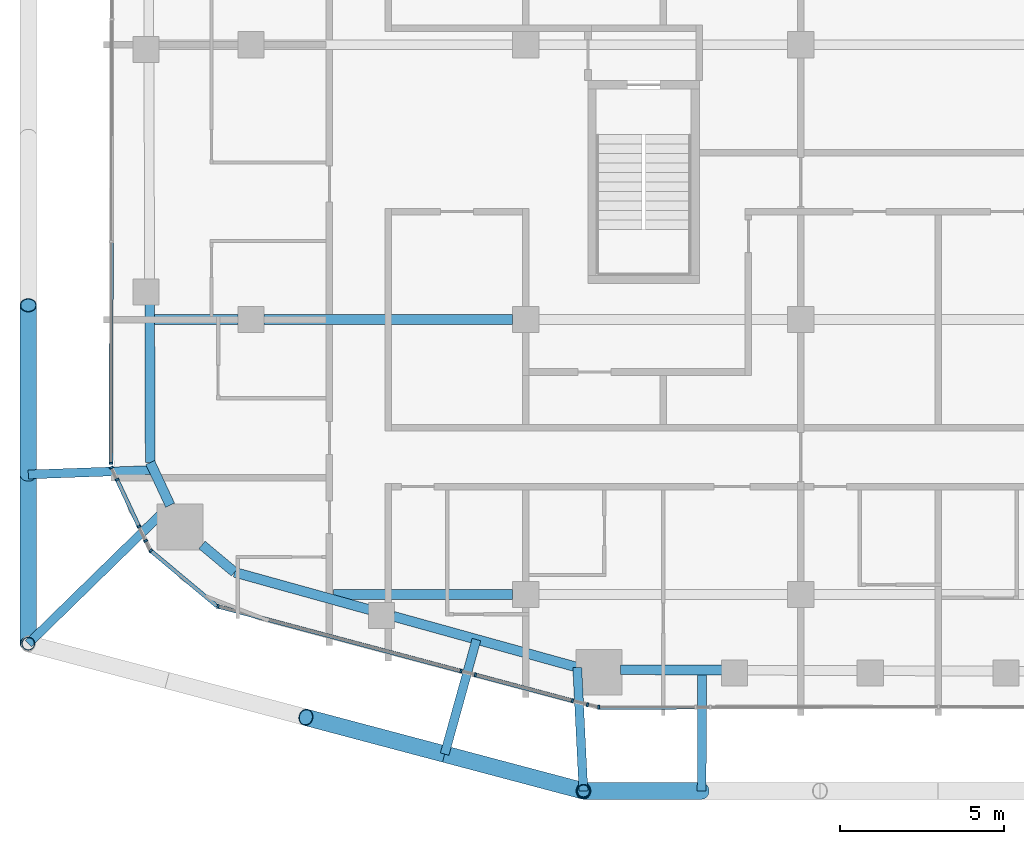
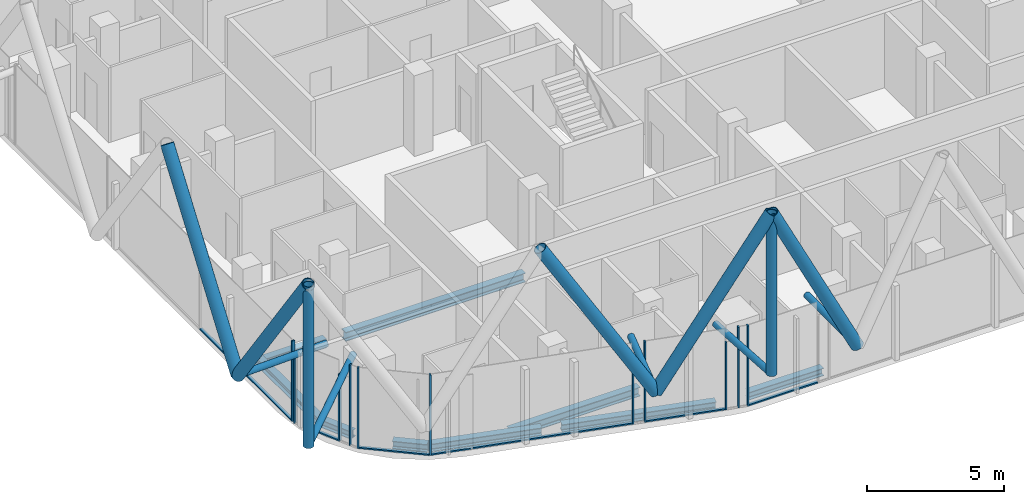
# One storey, part 2 of 31: 30 members, 9 beams, 12 elements without a shape of their own.
"""IFC4 building model written with IfcOpenShell, lengths in metres."""

from ifc_helpers import new_model, si_unit, direction, frame, origin, origin_2d, place, context, subcontext, project, spatial, rectangle, hollow_circle, i_section, extrude, material, layer, layer_set, material_profile, profile_set, type_object, element, aggregate, save


model = new_model("IFC4")

# Units and contexts
model_context = context("Model", 3, precision=1e-05, world=origin(), true_north=direction((0.0, 1.0)))
body_context = subcontext(model_context, "Body", "Model", "MODEL_VIEW")
ifc_project = project(units=[si_unit("LENGTHUNIT", "METRE"), si_unit("AREAUNIT", "SQUARE_METRE"), si_unit("VOLUMEUNIT", "CUBIC_METRE"), si_unit("PLANEANGLEUNIT", "RADIAN"), si_unit("MASSUNIT", "GRAM", prefix="KILO")], contexts=[model_context])

# Site, building, storey
site_placement = place(None, origin())
site = spatial("IfcSite", under=ifc_project, at=site_placement, CompositionType="ELEMENT")
building_placement = place(site_placement, origin())
building = spatial("IfcBuilding", under=site, at=building_placement, Name="Marenta Gate Hotel Tower", CompositionType="ELEMENT")
storey_placement = place(building_placement, frame((0.0, 0.0, 234.5)))
storey = spatial("IfcBuildingStorey", under=building, at=storey_placement, Name="L55", CompositionType="ELEMENT", Elevation=234.5)

# Members
ifc_material_1 = material(Name="Steel S355J2W", Category="steel")
ifc_material_profile_1 = material_profile(ifc_material_1, hollow_circle(Radius=0.203125, WallThickness=0.02490234375, at=origin_2d()), Name="CHS 406.4x25")
ifc_profile_set_1 = profile_set([ifc_material_profile_1], Name="Steel S355J2W")
member_type_1 = type_object("IfcMemberType", Name="Diagrid corner post Z3 CHS 406.4x25", PredefinedType="POST", material=ifc_profile_set_1)
for number, where, z_axis, x_axis, name in (
    (1, (-10.839111328125, -31.199951171875, 3.139892578125), (0.0, 0.0, 1.0), (1.0, 0.0, 0.0), "L55-DR-4"),
    (2, (-27.800048828125, -26.7001953125, 3.139892578125), (0.0, 0.0, 1.0), (1.0, 0.0, 0.0), "L55-DR-5"),
):
    element("IfcMember", number, at=place(storey_placement, frame(where, z_axis=z_axis, x_axis=x_axis)), inside=storey, type_object=member_type_1, Name=name, PredefinedType="POST", context=body_context, shape_type="SweptSolid", body=[
        extrude(hollow_circle(Radius=0.203125, WallThickness=0.02490234375, at=origin_2d()), origin(), (0.0, 0.0, 1.0), 7.2001953125),
    ])
ifc_material_2 = material(Name="Steel S355J2W", Category="steel")
ifc_material_profile_2 = material_profile(ifc_material_2, hollow_circle(Radius=0.25390625, WallThickness=0.02490234375, at=origin_2d()), Name="CHS 508x25")
ifc_profile_set_2 = profile_set([ifc_material_profile_2], Name="Steel S355J2W")
member_type_2 = type_object("IfcMemberType", Name="Diagrid diagonal Z3 CHS 508x25", PredefinedType="BRACE", material=ifc_profile_set_2)
member_1_placement = place(storey_placement, frame((-7.22607421875, -31.199951171875, 3.139892578125), z_axis=(-0.44849810728, 0.0, 0.893783781329), x_axis=(0.0, -1.0, 0.0)))
element("IfcMember", 3, at=member_1_placement, inside=storey, type_object=member_type_2, Name="L55-DG-20", PredefinedType="BRACE", context=body_context, shape_type="SweptSolid", body=[
    extrude(hollow_circle(Radius=0.25390625, WallThickness=0.02490234375, at=origin_2d()), origin(), (0.0, 0.0, 1.0), 8.055908203125),
])
for number, where, z_axis, x_axis, name in (
    (4, (-15.079345703125, -30.074951171875, 3.139892578125), (0.50291158245, -0.13343024942, 0.853976761263), (0.256443187528, 0.96655930577, 0.0), "L55-DG-21"),
    (5, (-15.079345703125, -30.074951171875, 3.139892578125), (-0.502913525317, 0.133401808564, 0.853980060379), (-0.256391194513, -0.966573098827, 0.0), "L55-DG-22"),
):
    element("IfcMember", number, at=place(storey_placement, frame(where, z_axis=z_axis, x_axis=x_axis)), inside=storey, type_object=member_type_2, Name=name, PredefinedType="BRACE", context=body_context, shape_type="SweptSolid", body=[
        extrude(hollow_circle(Radius=0.25390625, WallThickness=0.02490234375, at=origin_2d()), origin(), (0.0, 0.0, 1.0), 8.431396484375),
    ])
member_2_placement = place(storey_placement, frame((-27.800048828125, -21.530029296875, 3.139892578125), z_axis=(0.0, -0.583265964901, 0.81228124082), x_axis=(1.0, 0.0, 0.0)))
element("IfcMember", 6, at=member_2_placement, inside=storey, type_object=member_type_2, Name="L55-DG-25", PredefinedType="BRACE", context=body_context, shape_type="SweptSolid", body=[
    extrude(hollow_circle(Radius=0.25390625, WallThickness=0.02490234375, at=origin_2d()), origin(), (0.0, 0.0, 1.0), 8.8642578125),
])
member_3_placement = place(storey_placement, frame((-27.800048828125, -21.530029296875, 3.139892578125), z_axis=(0.0, 0.583247791947, 0.812294289767), x_axis=(-1.0, 0.0, 0.0)))
element("IfcMember", 7, at=member_3_placement, inside=storey, type_object=member_type_2, Name="L55-DG-26", PredefinedType="BRACE", context=body_context, shape_type="SweptSolid", body=[
    extrude(hollow_circle(Radius=0.25390625, WallThickness=0.02490234375, at=origin_2d()), origin(), (0.0, 0.0, 1.0), 8.864013671875),
])

# Beams
ifc_material_3 = material(Name="Steel S355", Category="steel")
ifc_material_profile_3 = material_profile(ifc_material_3, i_section(OverallWidth=0.300048828125, OverallDepth=0.340087890625, WebThickness=0.011962890625, FlangeThickness=0.021484375, FilletRadius=0.027099609375, at=origin_2d()), Name="HEB 340")
ifc_profile_set_3 = profile_set([ifc_material_profile_3], Name="Steel S355")
beam_type_1 = type_object("IfcBeamType", Name="Edge beam HEB 340", PredefinedType="SPANDREL", material=ifc_profile_set_3)
beam_1_placement = place(storey_placement, frame((-11.02783203125, -27.42236328125, -0.429931640625), z_axis=(-0.963619240724, 0.267278803699, 0.0), x_axis=(-0.267278803699, -0.963619240724, 0.0)))
element("IfcBeam", 8, at=beam_1_placement, inside=storey, type_object=beam_type_1, Name="L55-EB-1", PredefinedType="SPANDREL", context=body_context, shape_type="SweptSolid", body=[
    extrude(i_section(OverallWidth=0.300048828125, OverallDepth=0.340087890625, WebThickness=0.011962890625, FlangeThickness=0.021484375, FilletRadius=0.027099609375, at=origin_2d()), origin(), (0.0, 0.0, 1.0), 5.82958984375),
])
beam_2_placement = place(storey_placement, frame((-17.3681640625, -25.663818359375, -0.429931640625), z_axis=(-0.963628037304, 0.267247087396, 0.0), x_axis=(-0.267247087396, -0.963628037304, 0.0)))
element("IfcBeam", 9, at=beam_2_placement, inside=storey, type_object=beam_type_1, Name="L55-EB-2", PredefinedType="SPANDREL", context=body_context, shape_type="SweptSolid", body=[
    extrude(i_section(OverallWidth=0.300048828125, OverallDepth=0.340087890625, WebThickness=0.011962890625, FlangeThickness=0.021484375, FilletRadius=0.027099609375, at=origin_2d()), origin(), (0.0, 0.0, 1.0), 4.284423828125),
])
beam_3_placement = place(storey_placement, frame((-21.496826171875, -24.518798828125, -0.429931640625), z_axis=(-0.767065103149, 0.641569269472, 0.0), x_axis=(-0.641569269472, -0.767065103149, 0.0)))
element("IfcBeam", 10, at=beam_3_placement, inside=storey, type_object=beam_type_1, Name="L55-EB-3", PredefinedType="SPANDREL", context=body_context, shape_type="SweptSolid", body=[
    extrude(i_section(OverallWidth=0.300048828125, OverallDepth=0.340087890625, WebThickness=0.011962890625, FlangeThickness=0.021484375, FilletRadius=0.027099609375, at=origin_2d()), origin(), (0.0, 0.0, 1.0), 1.299560546875),
])
beam_4_placement = place(storey_placement, frame((-23.466796875, -22.46923828125, -0.429931640625), z_axis=(-0.423341112024, 0.905970365338, 0.0), x_axis=(-0.905970365338, -0.423341112024, 0.0)))
element("IfcBeam", 11, at=beam_4_placement, inside=storey, type_object=beam_type_1, Name="L55-EB-4", PredefinedType="SPANDREL", context=body_context, shape_type="SweptSolid", body=[
    extrude(i_section(OverallWidth=0.300048828125, OverallDepth=0.340087890625, WebThickness=0.011962890625, FlangeThickness=0.021484375, FilletRadius=0.027099609375, at=origin_2d()), origin(), (0.0, 0.0, 1.0), 1.437255859375),
])
beam_5_placement = place(storey_placement, frame((-24.0751953125, -21.167236328125, -0.429931640625), z_axis=(-0.003318732666, 0.999994492992, 0.0), x_axis=(-0.999994492992, -0.003318732666, 0.0)))
element("IfcBeam", 12, at=beam_5_placement, inside=storey, type_object=beam_type_1, Name="L55-EB-5", PredefinedType="SPANDREL", context=body_context, shape_type="SweptSolid", body=[
    extrude(i_section(OverallWidth=0.300048828125, OverallDepth=0.340087890625, WebThickness=0.011962890625, FlangeThickness=0.021484375, FilletRadius=0.027099609375, at=origin_2d()), origin(), (0.0, 0.0, 1.0), 4.855224609375),
])
beam_6_placement = place(storey_placement, frame((-6.580078125, -27.507568359375, -0.429931640625), z_axis=(-0.99999237665, 0.00390469495, 0.0), x_axis=(-0.00390469495, -0.99999237665, 0.0)))
element("IfcBeam", 13, at=beam_6_placement, inside=storey, type_object=beam_type_1, Name="L55-EB-36", PredefinedType="SPANDREL", context=body_context, shape_type="SweptSolid", body=[
    extrude(i_section(OverallWidth=0.300048828125, OverallDepth=0.340087890625, WebThickness=0.011962890625, FlangeThickness=0.021484375, FilletRadius=0.027099609375, at=origin_2d()), origin(), (0.0, 0.0, 1.0), 3.126220703125),
])

# Members
ifc_material_4 = material(Name="Steel S355J2W", Category="steel")
ifc_material_profile_4 = material_profile(ifc_material_4, hollow_circle(Radius=0.136474609375, WallThickness=0.012451171875, at=origin_2d()), Name="CHS 273x12.5")
ifc_profile_set_4 = profile_set([ifc_material_profile_4], Name="Steel S355J2W")
member_type_3 = type_object("IfcMemberType", Name="Floor tie CHS 273x12.5", PredefinedType="STRUT", material=ifc_profile_set_4)
member_4_placement = place(storey_placement, frame((-7.22607421875, -31.199951171875, 3.139892578125), z_axis=(0.00383848926, 0.999992632973, 0.0), x_axis=(-0.999992632973, 0.00383848926, 0.0)))
element("IfcMember", 14, at=member_4_placement, inside=storey, type_object=member_type_3, Name="L55-DR-15", PredefinedType="STRUT", context=body_context, shape_type="SweptSolid", body=[
    extrude(hollow_circle(Radius=0.136474609375, WallThickness=0.012451171875, at=origin_2d()), origin(), (0.0, 0.0, 1.0), 3.68896484375),
])
member_5_placement = place(storey_placement, frame((-10.839111328125, -31.199951171875, 3.139892578125), z_axis=(-0.049850547476, 0.998756688546, 0.0), x_axis=(-0.998756688546, -0.049850547476, 0.0)))
element("IfcMember", 15, at=member_5_placement, inside=storey, type_object=member_type_3, Name="L55-DR-16", PredefinedType="STRUT", context=body_context, shape_type="SweptSolid", body=[
    extrude(hollow_circle(Radius=0.136474609375, WallThickness=0.012451171875, at=origin_2d()), origin(), (0.0, 0.0, 1.0), 3.77587890625),
])
member_6_placement = place(storey_placement, frame((-15.079345703125, -30.074951171875, 3.139892578125), z_axis=(0.267266043372, 0.963622779961, 0.0), x_axis=(-0.963622779961, 0.267266043372, 0.0)))
element("IfcMember", 16, at=member_6_placement, inside=storey, type_object=member_type_3, Name="L55-DR-17", PredefinedType="STRUT", context=body_context, shape_type="SweptSolid", body=[
    extrude(hollow_circle(Radius=0.136474609375, WallThickness=0.012451171875, at=origin_2d()), origin(), (0.0, 0.0, 1.0), 3.6328125),
])
member_7_placement = place(storey_placement, frame((-27.800048828125, -26.7001953125, 3.139892578125), z_axis=(0.715510328178, 0.698602154499, 0.0), x_axis=(-0.698602154499, 0.715510328178, 0.0)))
element("IfcMember", 17, at=member_7_placement, inside=storey, type_object=member_type_3, Name="L55-DR-18", PredefinedType="STRUT", context=body_context, shape_type="SweptSolid", body=[
    extrude(hollow_circle(Radius=0.136474609375, WallThickness=0.012451171875, at=origin_2d()), origin(), (0.0, 0.0, 1.0), 6.050048828125),
])
member_8_placement = place(storey_placement, frame((-27.800048828125, -21.530029296875, 3.139892578125), z_axis=(0.999366101167, 0.035600503349, 0.0), x_axis=(-0.035600503349, 0.999366101167, 0.0)))
element("IfcMember", 18, at=member_8_placement, inside=storey, type_object=member_type_3, Name="L55-DR-19", PredefinedType="STRUT", context=body_context, shape_type="SweptSolid", body=[
    extrude(hollow_circle(Radius=0.136474609375, WallThickness=0.012451171875, at=origin_2d()), origin(), (0.0, 0.0, 1.0), 3.82666015625),
])

# Beams
ifc_material_5 = material(Name="Steel S355", Category="steel")
ifc_material_profile_5 = material_profile(ifc_material_5, i_section(OverallWidth=0.300048828125, OverallDepth=0.39990234375, WebThickness=0.013427734375, FlangeThickness=0.02392578125, FilletRadius=0.027099609375, at=origin_2d()), Name="HEB 400")
ifc_profile_set_5 = profile_set([ifc_material_profile_5], Name="Steel S355")
beam_type_2 = type_object("IfcBeamType", Name="Girder HEB 400", PredefinedType="BEAM", material=ifc_profile_set_5)
beam_7_placement = place(storey_placement, frame((-18.479248046875, -25.199951171875, -0.4599609375), z_axis=(1.0, 0.0, 0.0), x_axis=(0.0, 1.0, 0.0)))
element("IfcBeam", 19, at=beam_7_placement, inside=storey, type_object=beam_type_2, Name="L55-GD-1", PredefinedType="BEAM", context=body_context, shape_type="SweptSolid", body=[
    extrude(i_section(OverallWidth=0.300048828125, OverallDepth=0.39990234375, WebThickness=0.013427734375, FlangeThickness=0.02392578125, FilletRadius=0.027099609375, at=origin_2d()), origin(), (0.0, 0.0, 1.0), 5.479248046875),
])
beam_8_placement = place(storey_placement, frame((-23.939697265625, -16.800048828125, -0.4599609375), z_axis=(1.0, 0.0, 0.0), x_axis=(0.0, 1.0, 0.0)))
element("IfcBeam", 20, at=beam_8_placement, inside=storey, type_object=beam_type_2, Name="L55-GD-6", PredefinedType="BEAM", context=body_context, shape_type="SweptSolid", body=[
    extrude(i_section(OverallWidth=0.300048828125, OverallDepth=0.39990234375, WebThickness=0.013427734375, FlangeThickness=0.02392578125, FilletRadius=0.027099609375, at=origin_2d()), origin(), (0.0, 0.0, 1.0), 2.539794921875),
])
beam_9_placement = place(storey_placement, frame((-20.60009765625, -16.800048828125, -0.4599609375), z_axis=(1.0, 0.0, 0.0), x_axis=(0.0, 1.0, 0.0)))
element("IfcBeam", 21, at=beam_9_placement, inside=storey, type_object=beam_type_2, Name="L55-GD-7", PredefinedType="BEAM", context=body_context, shape_type="SweptSolid", body=[
    extrude(i_section(OverallWidth=0.300048828125, OverallDepth=0.39990234375, WebThickness=0.013427734375, FlangeThickness=0.02392578125, FilletRadius=0.027099609375, at=origin_2d()), origin(), (0.0, 0.0, 1.0), 7.60009765625),
])

# Curtain wall, member
ifc_material_6 = material(Name="Tinted insulated glass in bronze anodised frame", Category="glass")
ifc_layer = layer(ifc_material_6, 0.1201171875)
ifc_layer_set = layer_set([ifc_layer], Name="Tinted insulated glass in bronze anodised frame")
curtain_wall_type = type_object("IfcCurtainWallType", Name="Tower unitised curtain wall CW1", PredefinedType="NOTDEFINED", material=ifc_layer_set)
curtain_wall_1_placement = place(storey_placement, origin())
curtain_wall_1 = element("IfcCurtainWall", 22, at=curtain_wall_1_placement, inside=storey, type_object=curtain_wall_type, Name="CW1 run G08", PredefinedType="NOTDEFINED")
ifc_material_7 = material(Name="Bronze anodised aluminium", Category="aluminium")
ifc_material_profile_6 = material_profile(ifc_material_7, rectangle(XDim=0.1201171875, YDim=0.06005859375, at=origin_2d()), Name="Mullion CW1 60x120 bronze anodised aluminium")
ifc_profile_set_6 = profile_set([ifc_material_profile_6], Name="Bronze anodised aluminium")
member_type_4 = type_object("IfcMemberType", Name="Mullion CW1 60x120 bronze anodised aluminium", PredefinedType="MULLION", material=ifc_profile_set_6)
member_9_placement = place(storey_placement, frame((-25.27294921875, -21.18359375, 0.0), z_axis=(0.0, 0.0, 1.0), x_axis=(0.999998775932, -0.001564651623, 0.0)))
member_9 = element("IfcMember", 23, at=member_9_placement, type_object=member_type_4, Name="CW1 mullion 4", PredefinedType="MULLION", context=body_context, shape_type="SweptSolid", body=[
    extrude(rectangle(XDim=0.1201171875, YDim=0.06005859375, at=origin_2d()), origin(), (0.0, 0.0, 1.0), 3.60009765625),
])

curtain_wall_2_placement = place(storey_placement, origin())
curtain_wall_2 = element("IfcCurtainWall", 24, at=curtain_wall_2_placement, inside=storey, type_object=curtain_wall_type, Name="CW1 run G09", PredefinedType="NOTDEFINED")
member_10_placement = place(storey_placement, frame((-25.26025390625, -21.321044921875, 0.0), z_axis=(0.0, 0.0, 1.0), x_axis=(0.905968482447, 0.423345141478, 0.0)))
member_10 = element("IfcMember", 25, at=member_10_placement, type_object=member_type_4, Name="CW1 mullion 1", PredefinedType="MULLION", context=body_context, shape_type="SweptSolid", body=[
    extrude(rectangle(XDim=0.1201171875, YDim=0.06005859375, at=origin_2d()), origin(), (0.0, 0.0, 1.0), 3.00048828125),
])
aggregate(curtain_wall_2, [member_10])

curtain_wall_3_placement = place(storey_placement, origin())
curtain_wall_3 = element("IfcCurtainWall", 26, at=curtain_wall_3_placement, inside=storey, type_object=curtain_wall_type, Name="CW1 run G10", PredefinedType="NOTDEFINED")
member_11_placement = place(storey_placement, frame((-25.0888671875, -21.687744140625, 0.0), z_axis=(0.0, 0.0, 1.0), x_axis=(0.905976448707, 0.423328093078, 0.0)))
member_11 = element("IfcMember", 27, at=member_11_placement, type_object=member_type_4, Name="CW1 mullion 1", PredefinedType="MULLION", context=body_context, shape_type="SweptSolid", body=[
    extrude(rectangle(XDim=0.1201171875, YDim=0.06005859375, at=origin_2d()), origin(), (0.0, 0.0, 1.0), 3.60009765625),
])

curtain_wall_4_placement = place(storey_placement, origin())
curtain_wall_4 = element("IfcCurtainWall", 28, at=curtain_wall_4_placement, inside=storey, type_object=curtain_wall_type, Name="CW1 run G11", PredefinedType="NOTDEFINED")
member_12_placement = place(storey_placement, frame((-24.418701171875, -23.121826171875, 0.0), z_axis=(0.0, 0.0, 1.0), x_axis=(0.905948786251, 0.423387289241, 0.0)))
member_12 = element("IfcMember", 29, at=member_12_placement, type_object=member_type_4, Name="CW1 mullion 1", PredefinedType="MULLION", context=body_context, shape_type="SweptSolid", body=[
    extrude(rectangle(XDim=0.1201171875, YDim=0.06005859375, at=origin_2d()), origin(), (0.0, 0.0, 1.0), 3.00048828125),
])
aggregate(curtain_wall_4, [member_12])

curtain_wall_5_placement = place(storey_placement, origin())
curtain_wall_5 = element("IfcCurtainWall", 30, at=curtain_wall_5_placement, inside=storey, type_object=curtain_wall_type, Name="CW1 run G12", PredefinedType="NOTDEFINED")
member_13_placement = place(storey_placement, frame((-24.215576171875, -23.556640625, 0.0), z_axis=(0.0, 0.0, 1.0), x_axis=(0.905989668401, 0.423299800084, 0.0)))
member_13 = element("IfcMember", 31, at=member_13_placement, type_object=member_type_4, Name="CW1 mullion 1", PredefinedType="MULLION", context=body_context, shape_type="SweptSolid", body=[
    extrude(rectangle(XDim=0.1201171875, YDim=0.06005859375, at=origin_2d()), origin(), (0.0, 0.0, 1.0), 3.60009765625),
])
aggregate(curtain_wall_5, [member_13])

curtain_wall_6_placement = place(storey_placement, origin())
curtain_wall_6 = element("IfcCurtainWall", 32, at=curtain_wall_6_placement, inside=storey, type_object=curtain_wall_type, Name="CW1 run G13", PredefinedType="NOTDEFINED")
member_14_placement = place(storey_placement, frame((-24.059814453125, -23.85986328125, 0.0), z_axis=(0.0, 0.0, 1.0), x_axis=(0.641524739495, 0.767102345594, 0.0)))
member_14 = element("IfcMember", 33, at=member_14_placement, type_object=member_type_4, Name="CW1 mullion 1", PredefinedType="MULLION", context=body_context, shape_type="SweptSolid", body=[
    extrude(rectangle(XDim=0.1201171875, YDim=0.06005859375, at=origin_2d()), origin(), (0.0, 0.0, 1.0), 3.60009765625),
])

curtain_wall_7_placement = place(storey_placement, origin())
curtain_wall_7 = element("IfcCurtainWall", 34, at=curtain_wall_7_placement, inside=storey, type_object=curtain_wall_type, Name="CW1 run G14", PredefinedType="NOTDEFINED")
member_15_placement = place(storey_placement, frame((-22.00634765625, -25.560791015625, 0.0), z_axis=(0.0, 0.0, 1.0), x_axis=(0.257136207427, 0.966375170847, 0.0)))
member_15 = element("IfcMember", 35, at=member_15_placement, type_object=member_type_4, Name="CW1 mullion 1", PredefinedType="MULLION", context=body_context, shape_type="SweptSolid", body=[
    extrude(rectangle(XDim=0.1201171875, YDim=0.06005859375, at=origin_2d()), origin(), (0.0, 0.0, 1.0), 3.60009765625),
])

curtain_wall_8_placement = place(storey_placement, origin())
curtain_wall_8 = element("IfcCurtainWall", 36, at=curtain_wall_8_placement, inside=storey, type_object=curtain_wall_type, Name="CW1 run G15", PredefinedType="NOTDEFINED")
member_16_placement = place(storey_placement, frame((-14.579345703125, -27.537109375, 0.0), z_axis=(0.0, 0.0, 1.0), x_axis=(0.257154287199, 0.966370359942, 0.0)))
member_16 = element("IfcMember", 37, at=member_16_placement, type_object=member_type_4, Name="CW1 mullion 1", PredefinedType="MULLION", context=body_context, shape_type="SweptSolid", body=[
    extrude(rectangle(XDim=0.1201171875, YDim=0.06005859375, at=origin_2d()), origin(), (0.0, 0.0, 1.0), 3.00048828125),
])
aggregate(curtain_wall_8, [member_16])

curtain_wall_9_placement = place(storey_placement, origin())
curtain_wall_9 = element("IfcCurtainWall", 38, at=curtain_wall_9_placement, inside=storey, type_object=curtain_wall_type, Name="CW1 run G16", PredefinedType="NOTDEFINED")
member_17_placement = place(storey_placement, frame((-14.1416015625, -27.653564453125, 0.0), z_axis=(0.0, 0.0, 1.0), x_axis=(0.257117208999, 0.96638022581, 0.0)))
member_17 = element("IfcMember", 39, at=member_17_placement, type_object=member_type_4, Name="CW1 mullion 1", PredefinedType="MULLION", context=body_context, shape_type="SweptSolid", body=[
    extrude(rectangle(XDim=0.1201171875, YDim=0.06005859375, at=origin_2d()), origin(), (0.0, 0.0, 1.0), 3.60009765625),
])

curtain_wall_10_placement = place(storey_placement, origin())
curtain_wall_10 = element("IfcCurtainWall", 40, at=curtain_wall_10_placement, inside=storey, type_object=curtain_wall_type, Name="CW1 run G17", PredefinedType="NOTDEFINED")
member_18_placement = place(storey_placement, frame((-11.1748046875, -28.44287109375, 0.0), z_axis=(0.0, 0.0, 1.0), x_axis=(0.257099982864, 0.966384808868, 0.0)))
member_18 = element("IfcMember", 41, at=member_18_placement, type_object=member_type_4, Name="CW1 mullion 1", PredefinedType="MULLION", context=body_context, shape_type="SweptSolid", body=[
    extrude(rectangle(XDim=0.1201171875, YDim=0.06005859375, at=origin_2d()), origin(), (0.0, 0.0, 1.0), 3.00048828125),
])
aggregate(curtain_wall_10, [member_18])

curtain_wall_11_placement = place(storey_placement, origin())
curtain_wall_11 = element("IfcCurtainWall", 42, at=curtain_wall_11_placement, inside=storey, type_object=curtain_wall_type, Name="CW1 run G18", PredefinedType="NOTDEFINED")
member_19_placement = place(storey_placement, frame((-10.71533203125, -28.565185546875, 0.0), z_axis=(0.0, 0.0, 1.0), x_axis=(0.257431460974, 0.966296560535, 0.0)))
member_19 = element("IfcMember", 43, at=member_19_placement, type_object=member_type_4, Name="CW1 mullion 1", PredefinedType="MULLION", context=body_context, shape_type="SweptSolid", body=[
    extrude(rectangle(XDim=0.1201171875, YDim=0.06005859375, at=origin_2d()), origin(), (0.0, 0.0, 1.0), 3.60009765625),
])
aggregate(curtain_wall_11, [member_19])

curtain_wall_12_placement = place(storey_placement, origin())
curtain_wall_12 = element("IfcCurtainWall", 44, at=curtain_wall_12_placement, inside=storey, type_object=curtain_wall_type, Name="CW1 run G19", PredefinedType="NOTDEFINED")
member_20_placement = place(storey_placement, frame((-10.3759765625, -28.6474609375, 0.0), z_axis=(0.0, 0.0, 1.0), x_axis=(-0.001653559645, 0.999998632869, 0.0)))
member_20 = element("IfcMember", 45, at=member_20_placement, type_object=member_type_4, Name="CW1 mullion 1", PredefinedType="MULLION", context=body_context, shape_type="SweptSolid", body=[
    extrude(rectangle(XDim=0.1201171875, YDim=0.06005859375, at=origin_2d()), origin(), (0.0, 0.0, 1.0), 3.60009765625),
])

# Member
ifc_material_8 = material(Name="Bronze anodised aluminium", Category="aluminium")
ifc_material_profile_7 = material_profile(ifc_material_8, rectangle(XDim=0.1201171875, YDim=0.06005859375, at=origin_2d()), Name="Transom CW1 60x120 bronze anodised aluminium")
ifc_profile_set_7 = profile_set([ifc_material_profile_7], Name="Bronze anodised aluminium")
member_type_5 = type_object("IfcMemberType", Name="Transom CW1 60x120 bronze anodised aluminium", PredefinedType="USERDEFINED", material=ifc_profile_set_7)
member_21_placement = place(storey_placement, frame((-25.26220703125, -14.447509765625, 0.030029296875), z_axis=(-0.001565456069, -0.999998774673, 0.0), x_axis=(0.999998774673, -0.001565456069, 0.0)))
member_21 = element("IfcMember", 46, at=member_21_placement, type_object=member_type_5, Name="CW1 transom 3.1", ObjectType="TRANSOM", PredefinedType="USERDEFINED", context=body_context, shape_type="SweptSolid", body=[
    extrude(rectangle(XDim=0.1201171875, YDim=0.06005859375, at=origin_2d()), origin(), (0.0, 0.0, 1.0), 6.7060546875),
])

aggregate(curtain_wall_1, [member_9, member_21])

member_22_placement = place(storey_placement, frame((-25.076171875, -21.71484375, 0.030029296875), z_axis=(0.423332946219, -0.905974181004, 0.0), x_axis=(0.905974181004, 0.423332946219, 0.0)))
member_22 = element("IfcMember", 47, at=member_22_placement, type_object=member_type_5, Name="CW1 transom 1.1", ObjectType="TRANSOM", PredefinedType="USERDEFINED", context=body_context, shape_type="SweptSolid", body=[
    extrude(rectangle(XDim=0.1201171875, YDim=0.06005859375, at=origin_2d()), origin(), (0.0, 0.0, 1.0), 1.523193359375),
])

aggregate(curtain_wall_3, [member_11, member_22])

member_23_placement = place(storey_placement, frame((-24.036865234375, -23.879150390625, 0.030029296875), z_axis=(0.767100312603, -0.641527170433, 0.0), x_axis=(0.641527170433, 0.767100312603, 0.0)))
member_23 = element("IfcMember", 48, at=member_23_placement, type_object=member_type_5, Name="CW1 transom 1.1", ObjectType="TRANSOM", PredefinedType="USERDEFINED", context=body_context, shape_type="SweptSolid", body=[
    extrude(rectangle(XDim=0.1201171875, YDim=0.06005859375, at=origin_2d()), origin(), (0.0, 0.0, 1.0), 2.609130859375),
])

aggregate(curtain_wall_6, [member_14, member_23])

member_24_placement = place(storey_placement, frame((-21.977294921875, -25.568603515625, 0.030029296875), z_axis=(0.966376678681, -0.257130540585, 0.0), x_axis=(0.257130540585, 0.966376678681, 0.0)))
member_24 = element("IfcMember", 49, at=member_24_placement, type_object=member_type_5, Name="CW1 transom 1.1", ObjectType="TRANSOM", PredefinedType="USERDEFINED", context=body_context, shape_type="SweptSolid", body=[
    extrude(rectangle(XDim=0.1201171875, YDim=0.06005859375, at=origin_2d()), origin(), (0.0, 0.0, 1.0), 7.625244140625),
])

aggregate(curtain_wall_7, [member_15, member_24])

member_25_placement = place(storey_placement, frame((-14.112548828125, -27.6611328125, 0.030029296875), z_axis=(0.966377496027, -0.257127468726, 0.0), x_axis=(0.257127468726, 0.966377496027, 0.0)))
member_25 = element("IfcMember", 50, at=member_25_placement, type_object=member_type_5, Name="CW1 transom 1.1", ObjectType="TRANSOM", PredefinedType="USERDEFINED", context=body_context, shape_type="SweptSolid", body=[
    extrude(rectangle(XDim=0.1201171875, YDim=0.06005859375, at=origin_2d()), origin(), (0.0, 0.0, 1.0), 3.010009765625),
])

aggregate(curtain_wall_9, [member_17, member_25])

member_26_placement = place(storey_placement, frame((-10.345947265625, -28.6474609375, 0.030029296875), z_axis=(0.999998585773, 0.001681800514, 0.0), x_axis=(-0.001681800514, 0.999998585773, 0.0)))
member_26 = element("IfcMember", 51, at=member_26_placement, type_object=member_type_5, Name="CW1 transom 1.1", ObjectType="TRANSOM", PredefinedType="USERDEFINED", context=body_context, shape_type="SweptSolid", body=[
    extrude(rectangle(XDim=0.1201171875, YDim=0.06005859375, at=origin_2d()), origin(), (0.0, 0.0, 1.0), 2.9033203125),
])

aggregate(curtain_wall_12, [member_20, member_26])

save(model, "model.ifc")
